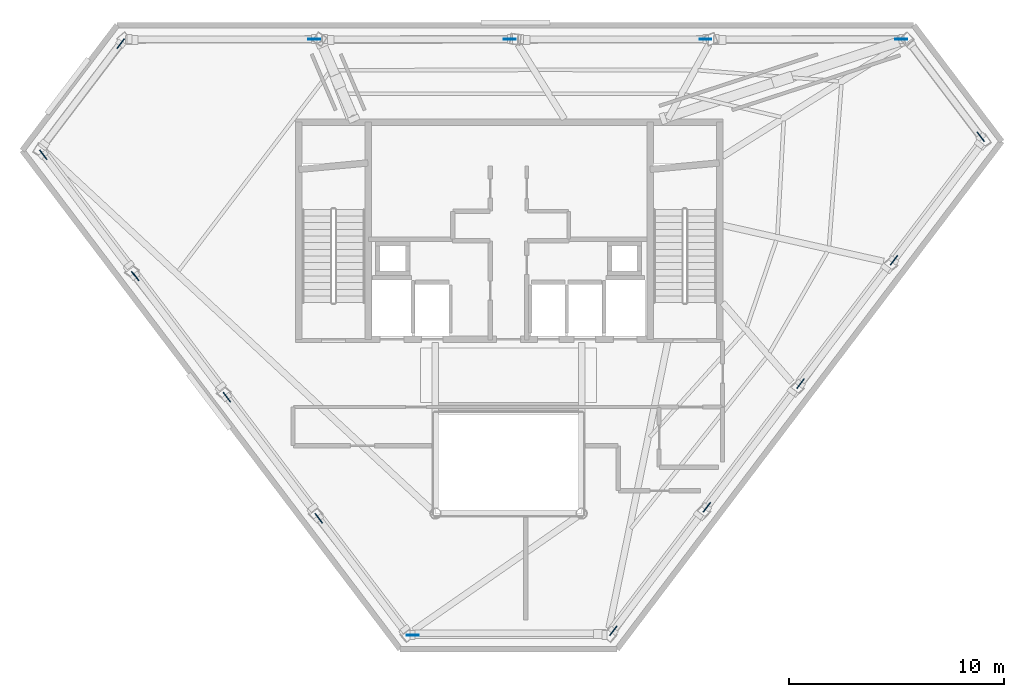
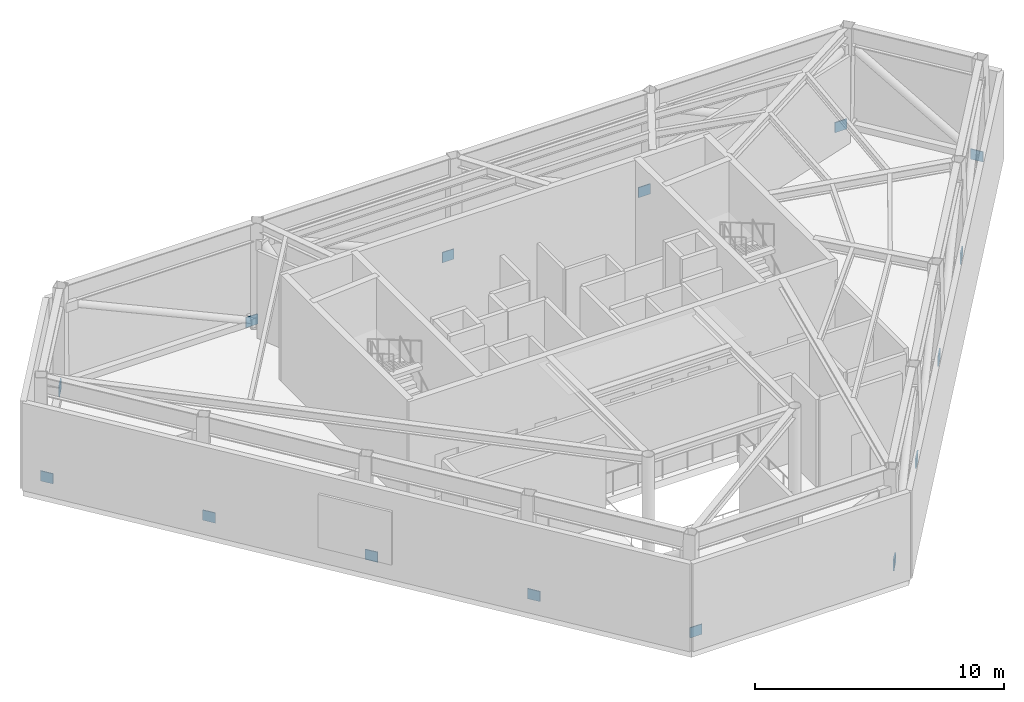
# One storey, part 3 of 9: 15 plates.
"""IFC4 building model written with IfcOpenShell, lengths in metres."""

from ifc_helpers import new_model, si_unit, direction, frame, origin, origin_2d, place, context, subcontext, project, spatial, rectangle, extrude, material, layer, layer_set, type_object, element, save


model = new_model("IFC4")

# Units and contexts
model_context = context("Model", 3, precision=1e-05, world=origin(), true_north=direction((0.0, 1.0)))
body_context = subcontext(model_context, "Body", "Model", "MODEL_VIEW")
ifc_project = project(units=[si_unit("LENGTHUNIT", "METRE"), si_unit("AREAUNIT", "SQUARE_METRE"), si_unit("VOLUMEUNIT", "CUBIC_METRE"), si_unit("PLANEANGLEUNIT", "RADIAN"), si_unit("MASSUNIT", "GRAM", prefix="KILO")], contexts=[model_context])

# Site, building, storey
site_placement = place(None, origin())
site = spatial("IfcSite", under=ifc_project, at=site_placement, CompositionType="ELEMENT")
building_placement = place(site_placement, origin())
building = spatial("IfcBuilding", under=site, at=building_placement, Name="Zarrinselat Tower", CompositionType="ELEMENT")
storey_placement = place(building_placement, frame((0.0, 0.0, 252.9599609375)))
storey = spatial("IfcBuildingStorey", under=building, at=storey_placement, Name="L64", CompositionType="ELEMENT", Elevation=252.9599609375)

# Plates
ifc_material = material(Name="Steel S460M", Category="steel")
ifc_layer = layer(ifc_material, 0.0400390625)
ifc_layer_set = layer_set([ifc_layer], Name="Steel S460M")
plate_type = type_object("IfcPlateType", Name="PLT-GUSSET-40", PredefinedType="USERDEFINED", material=ifc_layer_set)
for number, where, z_axis, x_axis, name in (
    (1, (56.65576171875, 47.2529296875, 0.10009765625), (0.0, 0.0, 1.0), (-1.0, 0.0, 0.0), "L64 Belt Truss Node Gusset Plate 1"),
    (2, (47.55615234375, 47.2529296875, 0.10009765625), (0.0, 0.0, 1.0), (-1.0, 0.0, 0.0), "L64 Belt Truss Node Gusset Plate 2"),
    (3, (38.45654296875, 47.2529296875, 0.10009765625), (0.0, 0.0, 1.0), (-1.0, 0.0, 0.0), "L64 Belt Truss Node Gusset Plate 3"),
    (4, (29.35693359375, 47.2529296875, 0.10009765625), (0.0, 0.0, 1.0), (-1.0, 0.0, 0.0), "L64 Belt Truss Node Gusset Plate 4"),
    (5, (20.361083984375, 47.044189453125, 0.10009765625), (0.0, 0.0, 1.0), (-0.603856502007, -0.797093046629, 0.0), "L64 Belt Truss Node Gusset Plate 5"),
    (6, (16.764404296875, 41.87890625, 0.10009765625), (0.0, 0.0, 1.0), (0.60386258946, -0.7970884349, 0.0), "L64 Belt Truss Node Gusset Plate 6"),
    (7, (21.034423828125, 36.242431640625, 0.10009765625), (0.0, 0.0, 1.0), (0.603855781885, -0.797093592174, 0.0), "L64 Belt Truss Node Gusset Plate 7"),
    (8, (25.3046875, 30.60595703125, 0.10009765625), (0.0, 0.0, 1.0), (0.603846795811, -0.797100399692, 0.0), "L64 Belt Truss Node Gusset Plate 8"),
    (9, (29.574462890625, 24.969482421875, 0.10009765625), (0.0, 0.0, 1.0), (0.60386258946, -0.7970884349, 0.0), "L64 Belt Truss Node Gusset Plate 9"),
    (10, (33.948486328125, 19.5419921875, 0.10009765625), (0.0, 0.0, 1.0), (1.0, 0.0, 0.0), "L64 Belt Truss Node Gusset Plate 10"),
    (11, (43.27197265625, 19.750732421875, 0.10009765625), (0.0, 0.0, 1.0), (0.603856084121, 0.797093363208, 0.0), "L64 Belt Truss Node Gusset Plate 11"),
    (12, (47.62158203125, 25.4921875, 0.10009765625), (0.0, 0.0, 1.0), (0.603856084121, 0.797093363208, 0.0), "L64 Belt Truss Node Gusset Plate 12"),
    (13, (51.97119140625, 31.23388671875, 0.10009765625), (0.0, 0.0, 1.0), (0.603856084121, 0.797093363208, 0.0), "L64 Belt Truss Node Gusset Plate 13"),
    (14, (56.32080078125, 36.9755859375, 0.10009765625), (0.0, 0.0, 1.0), (0.603856084121, 0.797093363208, 0.0), "L64 Belt Truss Node Gusset Plate 14"),
    (15, (60.35400390625, 42.717041015625, 0.10009765625), (0.0, 0.0, 1.0), (-0.603849941997, 0.797098016275, 0.0), "L64 Belt Truss Node Gusset Plate 15"),
):
    element("IfcPlate", number, at=place(storey_placement, frame(where, z_axis=z_axis, x_axis=x_axis)), inside=storey, type_object=plate_type, Name=name, ObjectType="GUSSET_PLATE", PredefinedType="USERDEFINED", context=body_context, shape_type="SweptSolid", body=[
        extrude(rectangle(XDim=0.550048828125, YDim=0.0400390625, at=origin_2d()), origin(), (0.0, 0.0, 1.0), 0.5),
    ])

save(model, "model.ifc")
